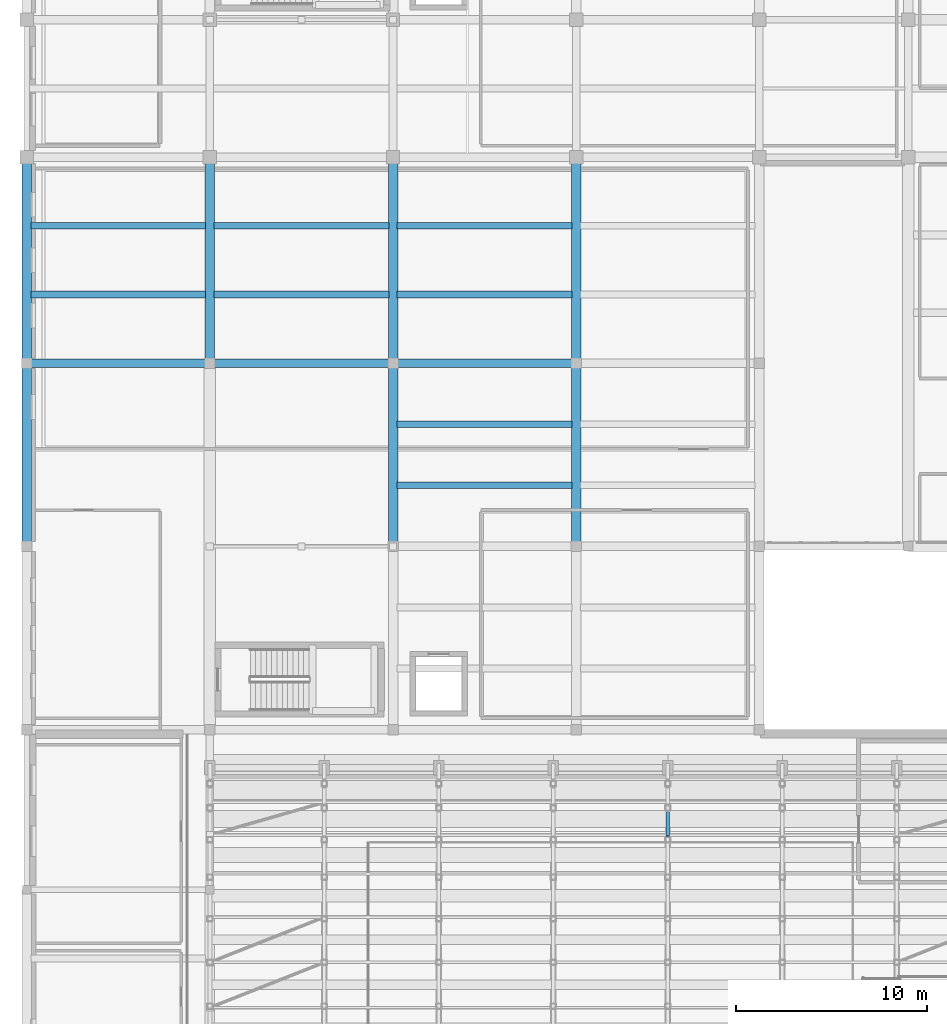
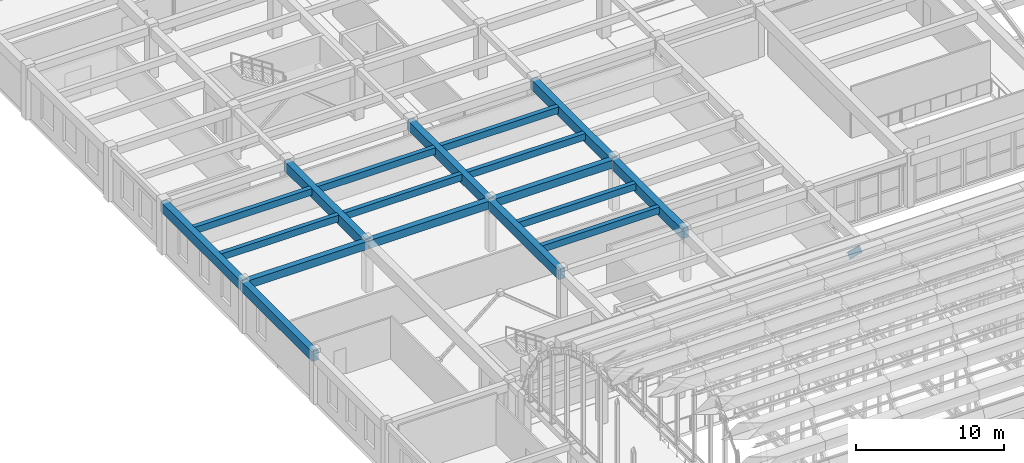
# One storey, part 18 of 91: 19 beams.
"""IFC4 building model written with IfcOpenShell, lengths in metres."""

from ifc_helpers import new_model, si_unit, direction, frame, origin, origin_2d, place, context, subcontext, project, spatial, rectangle, i_section, extrude, material, material_profile, profile_set, type_object, element, save


model = new_model("IFC4")

# Units and contexts
model_context = context("Model", 3, precision=1e-05, world=origin(), true_north=direction((0.0, 1.0)))
body_context = subcontext(model_context, "Body", "Model", "MODEL_VIEW")
ifc_project = project(units=[si_unit("LENGTHUNIT", "METRE"), si_unit("AREAUNIT", "SQUARE_METRE"), si_unit("VOLUMEUNIT", "CUBIC_METRE"), si_unit("PLANEANGLEUNIT", "RADIAN"), si_unit("MASSUNIT", "GRAM", prefix="KILO")], contexts=[model_context])

# Site, building, storey
site_placement = place(None, origin())
site = spatial("IfcSite", under=ifc_project, at=site_placement, CompositionType="ELEMENT")
building_placement = place(site_placement, origin())
building = spatial("IfcBuilding", under=site, at=building_placement, Name="Tarnavel Promenade Courthouse", CompositionType="ELEMENT")
storey_placement = place(building_placement, frame((0.0, 0.0, 9.89990234375)))
storey = spatial("IfcBuildingStorey", under=building, at=storey_placement, Name="L03", CompositionType="ELEMENT", Elevation=9.89990234375)

# Beams
ifc_material_1 = material(Name="Concrete C40/50", Category="concrete")
ifc_material_profile_1 = material_profile(ifc_material_1, rectangle(XDim=0.35009765625, YDim=0.550048828125, at=origin_2d()), Name="PT 350x550")
ifc_profile_set_1 = profile_set([ifc_material_profile_1], Name="Concrete C40/50")
beam_type_1 = type_object("IfcBeamType", Name="Concrete C40/50 BM-PT-350x550 (PT 350x550)", PredefinedType="JOIST", material=ifc_profile_set_1)
for number, where, z_axis, x_axis, name in (
    (1, (19.419921875, 50.0, 3.920166015625), (1.0, 0.0, 0.0), (0.0, 1.0, 0.0), "L03 Secondary Floor Rib 1835"),
    (2, (19.419921875, 53.199951171875, 3.920166015625), (1.0, 0.0, 0.0), (0.0, 1.0, 0.0), "L03 Secondary Floor Rib 1836"),
):
    element("IfcBeam", number, at=place(storey_placement, frame(where, z_axis=z_axis, x_axis=x_axis)), inside=storey, type_object=beam_type_1, Name=name, PredefinedType="JOIST", context=body_context, shape_type="SweptSolid", body=[
        extrude(rectangle(XDim=0.35009765625, YDim=0.550048828125, at=origin_2d()), origin(), (0.0, 0.0, 1.0), 9.16015625),
    ])
for number, where, z_axis, x_axis, name in (
    (3, (0.219970703125, 60.0, 3.920166015625), (1.0, 0.0, 0.0), (0.0, 1.0, 0.0), "L03 Secondary Floor Rib 1839"),
    (4, (0.219970703125, 63.60009765625, 3.920166015625), (1.0, 0.0, 0.0), (0.0, 1.0, 0.0), "L03 Secondary Floor Rib 1840"),
    (5, (9.820068359375, 60.0, 3.920166015625), (1.0, 0.0, 0.0), (0.0, 1.0, 0.0), "L03 Secondary Floor Rib 1841"),
    (6, (9.820068359375, 63.60009765625, 3.920166015625), (1.0, 0.0, 0.0), (0.0, 1.0, 0.0), "L03 Secondary Floor Rib 1842"),
):
    element("IfcBeam", number, at=place(storey_placement, frame(where, z_axis=z_axis, x_axis=x_axis)), inside=storey, type_object=beam_type_1, Name=name, PredefinedType="JOIST", context=body_context, shape_type="SweptSolid", body=[
        extrude(rectangle(XDim=0.35009765625, YDim=0.550048828125, at=origin_2d()), origin(), (0.0, 0.0, 1.0), 9.159912109375),
    ])
for number, where, z_axis, x_axis, name in (
    (7, (19.419921875, 60.0, 3.920166015625), (1.0, 0.0, 0.0), (0.0, 1.0, 0.0), "L03 Secondary Floor Rib 1843"),
    (8, (19.419921875, 63.60009765625, 3.920166015625), (1.0, 0.0, 0.0), (0.0, 1.0, 0.0), "L03 Secondary Floor Rib 1844"),
):
    element("IfcBeam", number, at=place(storey_placement, frame(where, z_axis=z_axis, x_axis=x_axis)), inside=storey, type_object=beam_type_1, Name=name, PredefinedType="JOIST", context=body_context, shape_type="SweptSolid", body=[
        extrude(rectangle(XDim=0.35009765625, YDim=0.550048828125, at=origin_2d()), origin(), (0.0, 0.0, 1.0), 9.16015625),
    ])
ifc_material_profile_2 = material_profile(ifc_material_1, rectangle(XDim=0.5, YDim=0.800048828125, at=origin_2d()), Name="PT 500x800")
ifc_profile_set_2 = profile_set([ifc_material_profile_2], Name="Concrete C40/50")
beam_type_2 = type_object("IfcBeamType", Name="Concrete C40/50 BM-PT-500x800 (PT 500x800)", PredefinedType="T_BEAM", material=ifc_profile_set_2)
beam_1_placement = place(storey_placement, frame((0.0, 46.800048828125, 3.795166015625), z_axis=(0.0, 1.0, 0.0), x_axis=(-1.0, 0.0, 0.0)))
element("IfcBeam", 9, at=beam_1_placement, inside=storey, type_object=beam_type_2, Name="L03 Transverse Girder 1691", PredefinedType="T_BEAM", context=body_context, shape_type="SweptSolid", body=[
    extrude(rectangle(XDim=0.5, YDim=0.800048828125, at=origin_2d()), origin(), (0.0, 0.0, 1.0), 9.599853515625),
])
for number, where, z_axis, x_axis, name in (
    (10, (0.0, 56.39990234375, 3.795166015625), (0.0, 1.0, 0.0), (-1.0, 0.0, 0.0), "L03 Transverse Girder 1692"),
    (11, (9.60009765625, 56.39990234375, 3.795166015625), (0.0, 1.0, 0.0), (-1.0, 0.0, 0.0), "L03 Transverse Girder 1704"),
):
    element("IfcBeam", number, at=place(storey_placement, frame(where, z_axis=z_axis, x_axis=x_axis)), inside=storey, type_object=beam_type_2, Name=name, PredefinedType="T_BEAM", context=body_context, shape_type="SweptSolid", body=[
        extrude(rectangle(XDim=0.5, YDim=0.800048828125, at=origin_2d()), origin(), (0.0, 0.0, 1.0), 10.800048828125),
    ])
beam_2_placement = place(storey_placement, frame((19.199951171875, 46.800048828125, 3.795166015625), z_axis=(0.0, 1.0, 0.0), x_axis=(-1.0, 0.0, 0.0)))
element("IfcBeam", 12, at=beam_2_placement, inside=storey, type_object=beam_type_2, Name="L03 Transverse Girder 1710", PredefinedType="T_BEAM", context=body_context, shape_type="SweptSolid", body=[
    extrude(rectangle(XDim=0.5, YDim=0.800048828125, at=origin_2d()), origin(), (0.0, 0.0, 1.0), 9.599853515625),
])
beam_3_placement = place(storey_placement, frame((19.199951171875, 56.39990234375, 3.795166015625), z_axis=(0.0, 1.0, 0.0), x_axis=(-1.0, 0.0, 0.0)))
element("IfcBeam", 13, at=beam_3_placement, inside=storey, type_object=beam_type_2, Name="L03 Transverse Girder 1711", PredefinedType="T_BEAM", context=body_context, shape_type="SweptSolid", body=[
    extrude(rectangle(XDim=0.5, YDim=0.800048828125, at=origin_2d()), origin(), (0.0, 0.0, 1.0), 10.800048828125),
])
beam_4_placement = place(storey_placement, frame((28.800048828125, 46.800048828125, 3.795166015625), z_axis=(0.0, 1.0, 0.0), x_axis=(-1.0, 0.0, 0.0)))
element("IfcBeam", 14, at=beam_4_placement, inside=storey, type_object=beam_type_2, Name="L03 Transverse Girder 1717", PredefinedType="T_BEAM", context=body_context, shape_type="SweptSolid", body=[
    extrude(rectangle(XDim=0.5, YDim=0.800048828125, at=origin_2d()), origin(), (0.0, 0.0, 1.0), 9.599853515625),
])
beam_5_placement = place(storey_placement, frame((28.800048828125, 56.39990234375, 3.795166015625), z_axis=(0.0, 1.0, 0.0), x_axis=(-1.0, 0.0, 0.0)))
element("IfcBeam", 15, at=beam_5_placement, inside=storey, type_object=beam_type_2, Name="L03 Transverse Girder 1718", PredefinedType="T_BEAM", context=body_context, shape_type="SweptSolid", body=[
    extrude(rectangle(XDim=0.5, YDim=0.800048828125, at=origin_2d()), origin(), (0.0, 0.0, 1.0), 10.800048828125),
])
ifc_material_profile_3 = material_profile(ifc_material_1, rectangle(XDim=0.449951171875, YDim=0.64990234375, at=origin_2d()), Name="RC 450x650")
ifc_profile_set_3 = profile_set([ifc_material_profile_3], Name="Concrete C40/50")
beam_type_3 = type_object("IfcBeamType", Name="Concrete C40/50 BM-RC-450x650 (RC 450x650)", PredefinedType="T_BEAM", material=ifc_profile_set_3)
beam_6_placement = place(storey_placement, frame((0.0, 56.39990234375, 3.8701171875), z_axis=(1.0, 0.0, 0.0), x_axis=(0.0, 1.0, 0.0)))
element("IfcBeam", 16, at=beam_6_placement, inside=storey, type_object=beam_type_3, Name="L03 Primary Longitudinal Beam 1577", PredefinedType="T_BEAM", context=body_context, shape_type="SweptSolid", body=[
    extrude(rectangle(XDim=0.449951171875, YDim=0.64990234375, at=origin_2d()), origin(), (0.0, 0.0, 1.0), 9.60009765625),
])
beam_7_placement = place(storey_placement, frame((9.60009765625, 56.39990234375, 3.8701171875), z_axis=(1.0, 0.0, 0.0), x_axis=(0.0, 1.0, 0.0)))
element("IfcBeam", 17, at=beam_7_placement, inside=storey, type_object=beam_type_3, Name="L03 Primary Longitudinal Beam 1578", PredefinedType="T_BEAM", context=body_context, shape_type="SweptSolid", body=[
    extrude(rectangle(XDim=0.449951171875, YDim=0.64990234375, at=origin_2d()), origin(), (0.0, 0.0, 1.0), 9.599853515625),
])
beam_8_placement = place(storey_placement, frame((19.199951171875, 56.39990234375, 3.8701171875), z_axis=(1.0, 0.0, 0.0), x_axis=(0.0, 1.0, 0.0)))
element("IfcBeam", 18, at=beam_8_placement, inside=storey, type_object=beam_type_3, Name="L03 Primary Longitudinal Beam 1579", PredefinedType="T_BEAM", context=body_context, shape_type="SweptSolid", body=[
    extrude(rectangle(XDim=0.449951171875, YDim=0.64990234375, at=origin_2d()), origin(), (0.0, 0.0, 1.0), 9.60009765625),
])
ifc_material_2 = material(Name="Steel S355J2", Category="steel")
ifc_material_profile_4 = material_profile(ifc_material_2, i_section(OverallWidth=0.199951171875, OverallDepth=0.5, WebThickness=0.01025390625, FlangeThickness=0.01611328125, FilletRadius=0.02099609375, at=origin_2d()), Name="IPE 500")
ifc_profile_set_4 = profile_set([ifc_material_profile_4], Name="Steel S355J2")
beam_type_4 = type_object("IfcBeamType", Name="Steel S355J2 BM-AR-IPE500 (IPE 500)", PredefinedType="T_BEAM", material=ifc_profile_set_4)
beam_9_placement = place(storey_placement, frame((33.60009765625, 31.435546875, 10.160400390625), z_axis=(0.0, 0.721173265551, -0.692754733693), x_axis=(-1.0, 0.0, 0.0)))
element("IfcBeam", 19, at=beam_9_placement, inside=storey, type_object=beam_type_4, Name="V4 Barrel Vault Arch Rib 05 Chord 10", PredefinedType="T_BEAM", context=body_context, shape_type="SweptSolid", body=[
    extrude(i_section(OverallWidth=0.199951171875, OverallDepth=0.5, WebThickness=0.01025390625, FlangeThickness=0.01611328125, FilletRadius=0.02099609375, at=origin_2d()), origin(), (0.0, 0.0, 1.0), 2.30224609375),
])

save(model, "model.ifc")
